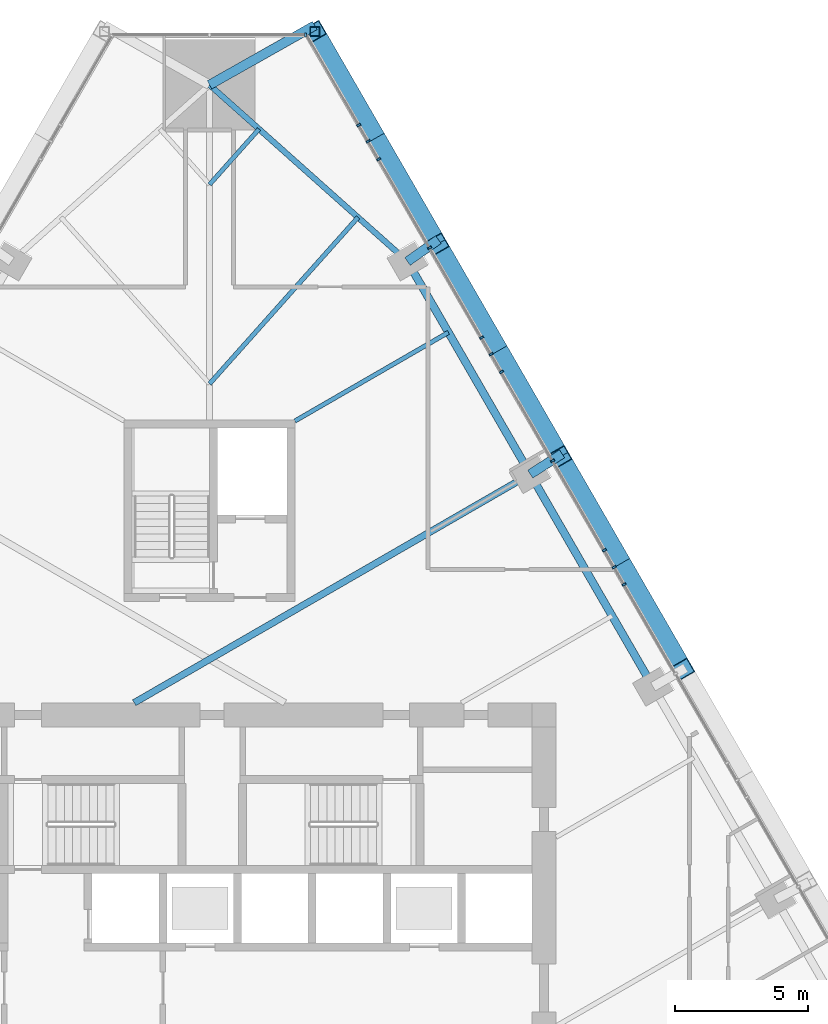
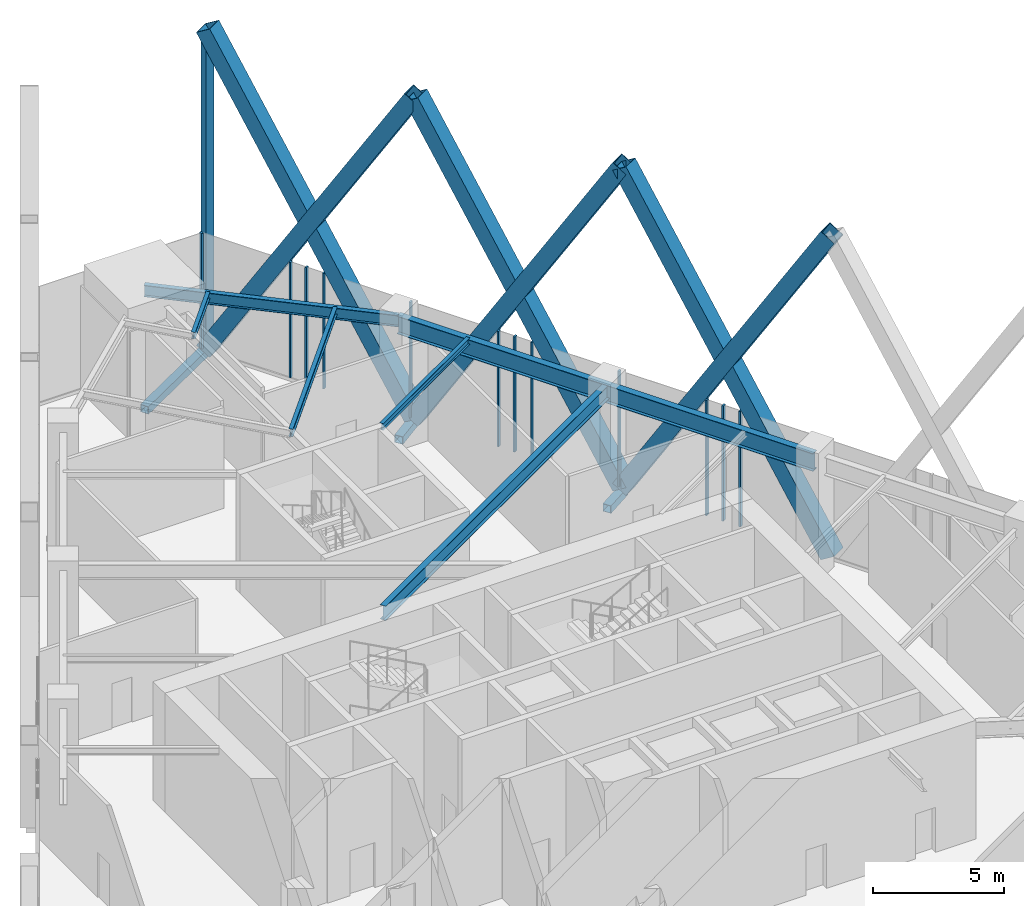
# One storey, part 10 of 21: 22 members, 6 beams, 2 elements without a shape of their own.
"""IFC4 building model written with IfcOpenShell, lengths in metres."""

from ifc_helpers import new_model, si_unit, direction, frame, origin, origin_2d, place, context, subcontext, project, spatial, rectangle, hollow_rectangle, i_section, extrude, material, layer, layer_set, material_profile, profile_set, type_object, element, aggregate, save


model = new_model("IFC4")

# Units and contexts
model_context = context("Model", 3, precision=1e-05, world=origin(), true_north=direction((0.0, 1.0)))
body_context = subcontext(model_context, "Body", "Model", "MODEL_VIEW")
ifc_project = project(units=[si_unit("LENGTHUNIT", "METRE"), si_unit("AREAUNIT", "SQUARE_METRE"), si_unit("VOLUMEUNIT", "CUBIC_METRE"), si_unit("PLANEANGLEUNIT", "RADIAN"), si_unit("MASSUNIT", "GRAM", prefix="KILO")], contexts=[model_context])

# Site, building, storey
site_placement = place(None, origin())
site = spatial("IfcSite", under=ifc_project, at=site_placement, CompositionType="ELEMENT")
building_placement = place(site_placement, origin())
building = spatial("IfcBuilding", under=site, at=building_placement, Name="Firuza Gate Tower and Library", CompositionType="ELEMENT")
storey_placement = place(building_placement, frame((0.0, 0.0, 140.800048828125)))
storey = spatial("IfcBuildingStorey", under=building, at=storey_placement, Name="L32", CompositionType="ELEMENT", Elevation=140.800048828125)

# Members
ifc_material_1 = material(Name="Steel S355", Category="steel")
ifc_material_profile_1 = material_profile(ifc_material_1, hollow_rectangle(XDim=0.699951171875, YDim=0.699951171875, WallThickness=0.030029296875, at=origin_2d()))
ifc_profile_set_1 = profile_set([ifc_material_profile_1], Name="Steel S355")
member_type_1 = type_object("IfcMemberType", Name="BU700x700x30 Lattice brace", PredefinedType="BRACE", material=ifc_profile_set_1)
for number, where, z_axis, x_axis, name in (
    (1, (92.756591796875, 85.251708984375, 0.0), (-0.261560312922, 0.453028121538, 0.852262708206), (-0.866021757479, -0.500006315534, 0.0), "Lattice brace E 7.4R"),
    (2, (88.153076171875, 93.22509765625, 0.0), (0.261560312922, -0.453028121538, 0.852262708206), (0.866021757479, 0.500006315534, 0.0), "Lattice brace E 7.4L"),
    (3, (88.153076171875, 93.22509765625, 0.0), (-0.261549033997, 0.453018740507, 0.852271156126), (-0.866026610508, -0.499997909888, 0.0), "Lattice brace E 7.5R"),
    (4, (83.5498046875, 101.1982421875, 0.0), (0.261549033997, -0.453018740507, 0.852271156126), (0.866026610508, 0.499997909888, 0.0), "Lattice brace E 7.5L"),
    (5, (83.5498046875, 101.1982421875, 0.0), (-0.261560312922, 0.453028121538, 0.852262708206), (-0.866021757479, -0.500006315534, 0.0), "Lattice brace E 7.6R"),
    (6, (78.9462890625, 109.171630859375, 0.0), (0.261560312922, -0.453028121538, 0.852262708206), (0.866021757479, 0.500006315534, 0.0), "Lattice brace E 7.6L"),
):
    element("IfcMember", number, at=place(storey_placement, frame(where, z_axis=z_axis, x_axis=x_axis)), inside=storey, type_object=member_type_1, Name=name, PredefinedType="BRACE", context=body_context, shape_type="SweptSolid", body=[
        extrude(hollow_rectangle(XDim=0.699951171875, YDim=0.699951171875, WallThickness=0.030029296875, at=origin_2d()), origin(), (0.0, 0.0, 1.0), 17.60009765625),
    ])

# Curtain wall, members
ifc_material_2 = material(Name="Aluminium 6063-T6", Category="aluminium")
ifc_layer_1 = layer(ifc_material_2, 0.14990234375)
ifc_layer_set_1 = layer_set([ifc_layer_1], Name="Unitised curtain wall, offices")
curtain_wall_type_1 = type_object("IfcCurtainWallType", Name="Unitised curtain wall, offices", PredefinedType="NOTDEFINED", material=ifc_layer_set_1)
placement = place(storey_placement, origin())
curtain_wall_1 = element("IfcCurtainWall", 7, at=placement, inside=storey, type_object=curtain_wall_type_1, Name="CW1 L32 E face", PredefinedType="NOTDEFINED")
ifc_material_3 = material(Name="Aluminium 6063-T6", Category="aluminium")
ifc_material_profile_2 = material_profile(ifc_material_3, rectangle(XDim=0.14990234375, YDim=0.080078125, at=origin_2d()))
ifc_profile_set_2 = profile_set([ifc_material_profile_2], Name="Aluminium 6063-T6")
member_type_2 = type_object("IfcMemberType", Name="Curtain wall mullion 80x150", PredefinedType="MULLION", material=ifc_profile_set_2)
member_1_placement = place(storey_placement, frame((90.169677734375, 89.08203125, 0.14990234375), z_axis=(0.0, 0.0, 1.0), x_axis=(-0.866025403784, -0.5, 0.0)))
member_1 = element("IfcMember", 8, at=member_1_placement, type_object=member_type_2, Name="Mullion", PredefinedType="MULLION", context=body_context, shape_type="SweptSolid", body=[
    extrude(rectangle(XDim=0.14990234375, YDim=0.080078125, at=origin_2d()), origin(), (0.0, 0.0, 1.0), 5.400146484375),
])
member_2_placement = place(storey_placement, frame((87.864501953125, 93.074951171875, 0.14990234375), z_axis=(0.0, 0.0, 1.0), x_axis=(-0.866025403784, -0.5, 0.0)))
member_2 = element("IfcMember", 9, at=member_2_placement, type_object=member_type_2, Name="Mullion", PredefinedType="MULLION", context=body_context, shape_type="SweptSolid", body=[
    extrude(rectangle(XDim=0.14990234375, YDim=0.080078125, at=origin_2d()), origin(), (0.0, 0.0, 1.0), 5.400146484375),
])
member_3_placement = place(storey_placement, frame((85.55908203125, 97.06787109375, 0.14990234375), z_axis=(0.0, 0.0, 1.0), x_axis=(-0.866025403784, -0.5, 0.0)))
member_3 = element("IfcMember", 10, at=member_3_placement, type_object=member_type_2, Name="Mullion", PredefinedType="MULLION", context=body_context, shape_type="SweptSolid", body=[
    extrude(rectangle(XDim=0.14990234375, YDim=0.080078125, at=origin_2d()), origin(), (0.0, 0.0, 1.0), 5.400146484375),
])
member_4_placement = place(storey_placement, frame((83.25390625, 101.060791015625, 0.14990234375), z_axis=(0.0, 0.0, 1.0), x_axis=(-0.866025403784, -0.5, 0.0)))
member_4 = element("IfcMember", 11, at=member_4_placement, type_object=member_type_2, Name="Mullion", PredefinedType="MULLION", context=body_context, shape_type="SweptSolid", body=[
    extrude(rectangle(XDim=0.14990234375, YDim=0.080078125, at=origin_2d()), origin(), (0.0, 0.0, 1.0), 5.400146484375),
])
member_5_placement = place(storey_placement, frame((80.948486328125, 105.0537109375, 0.14990234375), z_axis=(0.0, 0.0, 1.0), x_axis=(-0.866025403784, -0.5, 0.0)))
member_5 = element("IfcMember", 12, at=member_5_placement, type_object=member_type_2, Name="Mullion", PredefinedType="MULLION", context=body_context, shape_type="SweptSolid", body=[
    extrude(rectangle(XDim=0.14990234375, YDim=0.080078125, at=origin_2d()), origin(), (0.0, 0.0, 1.0), 5.400146484375),
])
member_6_placement = place(storey_placement, frame((90.5439453125, 88.43408203125, 0.14990234375), z_axis=(0.0, 0.0, 1.0), x_axis=(-0.866025403784, -0.5, 0.0)))
member_6 = element("IfcMember", 13, at=member_6_placement, type_object=member_type_2, Name="Mullion", PredefinedType="MULLION", context=body_context, shape_type="SweptSolid", body=[
    extrude(rectangle(XDim=0.14990234375, YDim=0.080078125, at=origin_2d()), origin(), (0.0, 0.0, 1.0), 5.400146484375),
])
member_7_placement = place(storey_placement, frame((89.802734375, 89.7177734375, 0.14990234375), z_axis=(0.0, 0.0, 1.0), x_axis=(-0.866025403784, -0.5, 0.0)))
member_7 = element("IfcMember", 14, at=member_7_placement, type_object=member_type_2, Name="Mullion", PredefinedType="MULLION", context=body_context, shape_type="SweptSolid", body=[
    extrude(rectangle(XDim=0.14990234375, YDim=0.080078125, at=origin_2d()), origin(), (0.0, 0.0, 1.0), 5.400146484375),
])
member_8_placement = place(storey_placement, frame((85.940673828125, 96.4072265625, 0.14990234375), z_axis=(0.0, 0.0, 1.0), x_axis=(-0.866025403784, -0.5, 0.0)))
member_8 = element("IfcMember", 15, at=member_8_placement, type_object=member_type_2, Name="Mullion", PredefinedType="MULLION", context=body_context, shape_type="SweptSolid", body=[
    extrude(rectangle(XDim=0.14990234375, YDim=0.080078125, at=origin_2d()), origin(), (0.0, 0.0, 1.0), 5.400146484375),
])
member_9_placement = place(storey_placement, frame((85.199462890625, 97.691162109375, 0.14990234375), z_axis=(0.0, 0.0, 1.0), x_axis=(-0.866025403784, -0.5, 0.0)))
member_9 = element("IfcMember", 16, at=member_9_placement, type_object=member_type_2, Name="Mullion", PredefinedType="MULLION", context=body_context, shape_type="SweptSolid", body=[
    extrude(rectangle(XDim=0.14990234375, YDim=0.080078125, at=origin_2d()), origin(), (0.0, 0.0, 1.0), 5.400146484375),
])
member_10_placement = place(storey_placement, frame((81.337158203125, 104.380615234375, 0.14990234375), z_axis=(0.0, 0.0, 1.0), x_axis=(-0.866025403784, -0.5, 0.0)))
member_10 = element("IfcMember", 17, at=member_10_placement, type_object=member_type_2, Name="Mullion", PredefinedType="MULLION", context=body_context, shape_type="SweptSolid", body=[
    extrude(rectangle(XDim=0.14990234375, YDim=0.080078125, at=origin_2d()), origin(), (0.0, 0.0, 1.0), 5.400146484375),
])
member_11_placement = place(storey_placement, frame((80.595947265625, 105.664306640625, 0.14990234375), z_axis=(0.0, 0.0, 1.0), x_axis=(-0.866025403784, -0.5, 0.0)))
member_11 = element("IfcMember", 18, at=member_11_placement, type_object=member_type_2, Name="Mullion", PredefinedType="MULLION", context=body_context, shape_type="SweptSolid", body=[
    extrude(rectangle(XDim=0.14990234375, YDim=0.080078125, at=origin_2d()), origin(), (0.0, 0.0, 1.0), 5.400146484375),
])
aggregate(curtain_wall_1, [member_1, member_2, member_3, member_4, member_5, member_6, member_7, member_8, member_9, member_10, member_11])

# Curtain wall, member
ifc_material_4 = material(Name="Aluminium 6063-T6", Category="aluminium")
ifc_layer_2 = layer(ifc_material_4, 0.14990234375)
ifc_layer_set_2 = layer_set([ifc_layer_2], Name="Corner curtain wall, chamfers")
curtain_wall_type_2 = type_object("IfcCurtainWallType", Name="Corner curtain wall, chamfers", PredefinedType="NOTDEFINED", material=ifc_layer_set_2)
curtain_wall_2 = element("IfcCurtainWall", 19, at=placement, inside=storey, type_object=curtain_wall_type_2, Name="CW4 L32 N corner", PredefinedType="NOTDEFINED")
member_12_placement = place(storey_placement, frame((78.603271484375, 109.046630859375, 0.14990234375), z_axis=(0.0, 0.0, 1.0), x_axis=(0.0, -1.0, 0.0)))
member_12 = element("IfcMember", 20, at=member_12_placement, type_object=member_type_2, Name="Mullion", PredefinedType="MULLION", context=body_context, shape_type="SweptSolid", body=[
    extrude(rectangle(XDim=0.14990234375, YDim=0.080078125, at=origin_2d()), origin(), (0.0, 0.0, 1.0), 5.400146484375),
])
aggregate(curtain_wall_2, [member_12])

# Members
ifc_material_5 = material(Name="Steel S355", Category="steel")
ifc_material_profile_3 = material_profile(ifc_material_5, hollow_rectangle(XDim=0.355712890625, YDim=0.355712890625, WallThickness=0.014892578125, at=origin_2d()))
ifc_profile_set_3 = profile_set([ifc_material_profile_3], Name="Steel S355")
member_type_3 = type_object("IfcMemberType", Name="HSS356x356x16 Lattice corner stile", PredefinedType="BRACE", material=ifc_profile_set_3)
member_13_placement = place(storey_placement, frame((78.9462890625, 109.171630859375, -0.14013671875), z_axis=(0.0, 0.0, 1.0), x_axis=(1.0, 0.0, 0.0)))
element("IfcMember", 21, at=member_13_placement, inside=storey, type_object=member_type_3, Name="Lattice corner stile E 7.B", PredefinedType="BRACE", context=body_context, shape_type="SweptSolid", body=[
    extrude(hollow_rectangle(XDim=0.355712890625, YDim=0.355712890625, WallThickness=0.014892578125, at=origin_2d()), origin(), (0.0, 0.0, 1.0), 14.64013671875),
])
ifc_material_6 = material(Name="Steel S355", Category="steel")
ifc_material_profile_4 = material_profile(ifc_material_6, hollow_rectangle(XDim=0.355712890625, YDim=0.355712890625, WallThickness=0.014892578125, at=origin_2d()))
ifc_profile_set_4 = profile_set([ifc_material_profile_4], Name="Steel S355")
member_type_4 = type_object("IfcMemberType", Name="HSS356x356x16 Lattice node tie", PredefinedType="BRACE", material=ifc_profile_set_4)
member_14_placement = place(storey_placement, frame((75.0, 107.171630859375, -0.320068359375), z_axis=(0.87088977596, 0.491478380123, 0.0), x_axis=(-0.491478380123, 0.87088977596, 0.0)))
element("IfcMember", 22, at=member_14_placement, inside=storey, type_object=member_type_4, Name="Lattice node tie E L32 127", PredefinedType="BRACE", context=body_context, shape_type="SweptSolid", body=[
    extrude(hollow_rectangle(XDim=0.355712890625, YDim=0.355712890625, WallThickness=0.014892578125, at=origin_2d()), origin(), (0.0, 0.0, 1.0), 4.53125),
])
member_15_placement = place(storey_placement, frame((82.423828125, 100.54833984375, -0.320068359375), z_axis=(0.816166405739, 0.577816924417, 0.0), x_axis=(-0.577816924417, 0.816166405739, 0.0)))
element("IfcMember", 23, at=member_15_placement, inside=storey, type_object=member_type_4, Name="Lattice node tie E L32 128", PredefinedType="BRACE", context=body_context, shape_type="SweptSolid", body=[
    extrude(hollow_rectangle(XDim=0.355712890625, YDim=0.355712890625, WallThickness=0.014892578125, at=origin_2d()), origin(), (0.0, 0.0, 1.0), 1.419677734375),
])
member_16_placement = place(storey_placement, frame((87.02734375, 92.574951171875, -0.320068359375), z_axis=(0.84189521683, 0.539641032427, 0.0), x_axis=(-0.539641032427, 0.84189521683, 0.0)))
element("IfcMember", 24, at=member_16_placement, inside=storey, type_object=member_type_4, Name="Lattice node tie E L32 129", PredefinedType="BRACE", context=body_context, shape_type="SweptSolid", body=[
    extrude(hollow_rectangle(XDim=0.355712890625, YDim=0.355712890625, WallThickness=0.014892578125, at=origin_2d()), origin(), (0.0, 0.0, 1.0), 1.4150390625),
])

# Beams
ifc_material_7 = material(Name="Steel S355", Category="steel")
ifc_material_profile_5 = material_profile(ifc_material_7, i_section(OverallWidth=0.1650390625, OverallDepth=0.31005859375, WebThickness=0.005859375, FlangeThickness=0.009765625, at=origin_2d()))
ifc_profile_set_5 = profile_set([ifc_material_profile_5], Name="Steel S355")
beam_type_1 = type_object("IfcBeamType", Name="W310x39 Floor beam", PredefinedType="JOIST", material=ifc_profile_set_5)
beam_1_placement = place(storey_placement, frame((83.95849609375, 97.890625, 5.39501953125), z_axis=(-0.86602478055, -0.500001079473, 0.0), x_axis=(0.500001079473, -0.86602478055, 0.0)))
element("IfcBeam", 25, at=beam_1_placement, inside=storey, type_object=beam_type_1, Name="Floor beam L32 s55", PredefinedType="JOIST", context=body_context, shape_type="SweptSolid", body=[
    extrude(i_section(OverallWidth=0.1650390625, OverallDepth=0.31005859375, WebThickness=0.005859375, FlangeThickness=0.009765625, at=origin_2d()), origin(), (0.0, 0.0, 1.0), 6.6494140625),
])
beam_2_placement = place(storey_placement, frame((76.85595703125, 105.515625, 5.39501953125), z_axis=(-0.665721615165, -0.746200195056, 0.0), x_axis=(0.746200195056, -0.665721615165, 0.0)))
element("IfcBeam", 26, at=beam_2_placement, inside=storey, type_object=beam_type_1, Name="Floor beam L32 s61", PredefinedType="JOIST", context=body_context, shape_type="SweptSolid", body=[
    extrude(i_section(OverallWidth=0.1650390625, OverallDepth=0.31005859375, WebThickness=0.005859375, FlangeThickness=0.009765625, at=origin_2d()), origin(), (0.0, 0.0, 1.0), 2.787841796875),
])
ifc_material_8 = material(Name="Steel S355", Category="steel")
ifc_material_profile_6 = material_profile(ifc_material_8, i_section(OverallWidth=0.1708984375, OverallDepth=0.35498046875, WebThickness=0.007080078125, FlangeThickness=0.01171875, at=origin_2d()))
ifc_profile_set_6 = profile_set([ifc_material_profile_6], Name="Steel S355")
beam_type_2 = type_object("IfcBeamType", Name="W360x51 Floor beam", PredefinedType="JOIST", material=ifc_profile_set_6)
beam_3_placement = place(storey_placement, frame((80.56787109375, 102.2041015625, 5.37255859375), z_axis=(-0.665721615165, -0.746200195056, 0.0), x_axis=(0.746200195056, -0.665721615165, 0.0)))
element("IfcBeam", 27, at=beam_3_placement, inside=storey, type_object=beam_type_2, Name="Floor beam L32 s60", PredefinedType="JOIST", context=body_context, shape_type="SweptSolid", body=[
    extrude(i_section(OverallWidth=0.1708984375, OverallDepth=0.35498046875, WebThickness=0.007080078125, FlangeThickness=0.01171875, at=origin_2d()), origin(), (0.0, 0.0, 1.0), 8.36376953125),
])
ifc_material_9 = material(Name="Steel S355", Category="steel")
ifc_material_profile_7 = material_profile(ifc_material_9, i_section(OverallWidth=0.212890625, OverallDepth=0.5390625, WebThickness=0.01171875, FlangeThickness=0.018798828125, at=origin_2d()))
ifc_profile_set_7 = profile_set([ifc_material_profile_7], Name="Steel S355")
beam_type_3 = type_object("IfcBeamType", Name="W530x109 Edge beam", PredefinedType="SPANDREL", material=ifc_profile_set_7)
beam_4_placement = place(storey_placement, frame((82.423828125, 100.54833984375, 5.280517578125), z_axis=(-0.74619362423, 0.66572898026, 0.0), x_axis=(-0.66572898026, -0.74619362423, 0.0)))
element("IfcBeam", 28, at=beam_4_placement, inside=storey, type_object=beam_type_3, Name="Edge beam L32 e60", PredefinedType="SPANDREL", context=body_context, shape_type="SweptSolid", body=[
    extrude(i_section(OverallWidth=0.212890625, OverallDepth=0.5390625, WebThickness=0.01171875, FlangeThickness=0.018798828125, at=origin_2d()), origin(), (0.0, 0.0, 1.0), 9.948974609375),
])
ifc_material_10 = material(Name="Steel S355", Category="steel")
ifc_material_profile_8 = material_profile(ifc_material_10, i_section(OverallWidth=0.2529296875, OverallDepth=0.677978515625, WebThickness=0.01171875, FlangeThickness=0.016357421875, at=origin_2d()))
ifc_profile_set_8 = profile_set([ifc_material_profile_8], Name="Steel S355")
beam_type_4 = type_object("IfcBeamType", Name="W690x125 Floor beam", PredefinedType="JOIST", material=ifc_profile_set_8)
beam_5_placement = place(storey_placement, frame((87.02734375, 92.574951171875, 5.2109375), z_axis=(-0.866026042558, -0.49999889361, 0.0), x_axis=(0.49999889361, -0.866026042558, 0.0)))
element("IfcBeam", 29, at=beam_5_placement, inside=storey, type_object=beam_type_4, Name="Floor beam L32 s54", PredefinedType="JOIST", context=body_context, shape_type="SweptSolid", body=[
    extrude(i_section(OverallWidth=0.2529296875, OverallDepth=0.677978515625, WebThickness=0.01171875, FlangeThickness=0.016357421875, at=origin_2d()), origin(), (0.0, 0.0, 1.0), 17.14990234375),
])
ifc_material_11 = material(Name="Steel S355", Category="steel")
ifc_material_profile_9 = material_profile(ifc_material_11, i_section(OverallWidth=0.2919921875, OverallDepth=0.8349609375, WebThickness=0.013916015625, FlangeThickness=0.018798828125, at=origin_2d()))
ifc_profile_set_9 = profile_set([ifc_material_profile_9], Name="Steel S355")
beam_type_5 = type_object("IfcBeamType", Name="W840x176 Edge beam", PredefinedType="SPANDREL", material=ifc_profile_set_9)
beam_6_placement = place(storey_placement, frame((91.630615234375, 84.601806640625, 5.132568359375), z_axis=(-0.500002112793, 0.866024183959, 0.0), x_axis=(-0.866024183959, -0.500002112793, 0.0)))
element("IfcBeam", 30, at=beam_6_placement, inside=storey, type_object=beam_type_5, Name="Edge beam L32 e52", PredefinedType="SPANDREL", context=body_context, shape_type="SweptSolid", body=[
    extrude(i_section(OverallWidth=0.2919921875, OverallDepth=0.8349609375, WebThickness=0.013916015625, FlangeThickness=0.018798828125, at=origin_2d()), origin(), (0.0, 0.0, 1.0), 18.41357421875),
])

save(model, "model.ifc")
